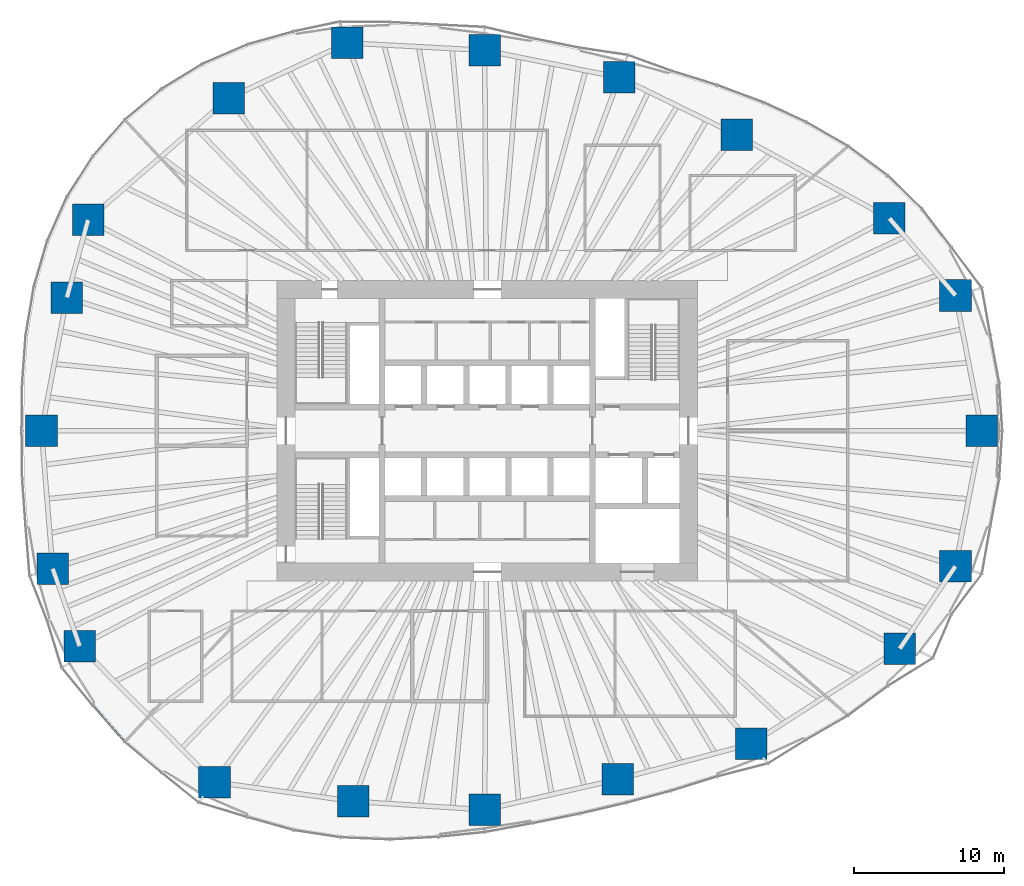
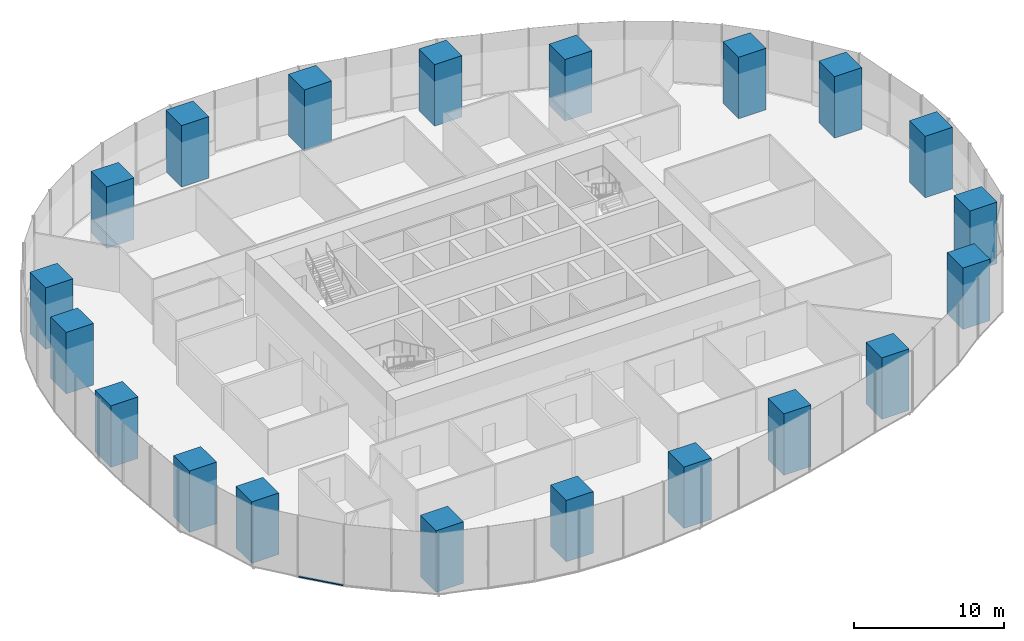
# One storey, part 1 of 20: 20 columns, 1 member, 1 element without a shape of its own.
"""IFC4 building model written with IfcOpenShell, lengths in metres."""

from ifc_helpers import new_model, si_unit, direction, frame, origin, origin_2d, place, context, subcontext, project, spatial, rectangle, extrude, material, material_profile, profile_set, type_object, element, aggregate, save


model = new_model("IFC4")

# Units and contexts
model_context = context("Model", 3, precision=1e-05, world=origin(), true_north=direction((0.0, 1.0)))
body_context = subcontext(model_context, "Body", "Model", "MODEL_VIEW")
ifc_project = project(units=[si_unit("LENGTHUNIT", "METRE"), si_unit("AREAUNIT", "SQUARE_METRE"), si_unit("VOLUMEUNIT", "CUBIC_METRE"), si_unit("PLANEANGLEUNIT", "RADIAN"), si_unit("MASSUNIT", "GRAM", prefix="KILO")], contexts=[model_context])

# Site, building, storey
site_placement = place(None, origin())
site = spatial("IfcSite", under=ifc_project, at=site_placement, CompositionType="ELEMENT")
building_placement = place(site_placement, origin())
building = spatial("IfcBuilding", under=site, at=building_placement, Name="Ghaith Harvest Tower", CompositionType="ELEMENT")
storey_placement = place(building_placement, frame((0.0, 0.0, 35.0)))
storey = spatial("IfcBuildingStorey", under=building, at=storey_placement, Name="L07", CompositionType="ELEMENT", Elevation=35.0)

# Columns
ifc_material_1 = material(Name="Concrete C70/85", Category="concrete")
ifc_material_profile_1 = material_profile(ifc_material_1, rectangle(XDim=2.10009765625, YDim=2.10009765625, at=origin_2d()), Name="RC2100X2100")
ifc_profile_set_1 = profile_set([ifc_material_profile_1], Name="Concrete C70/85")
column_type = type_object("IfcColumnType", Name="TC1 RC2100X2100", PredefinedType="COLUMN", material=ifc_profile_set_1)
for number, where, z_axis, x_axis, name in (
    (1, (32.925048828125, 0.0, 0.0), (0.0, 0.0, 1.0), (1.0, 0.0, 0.0), "Perimeter column C01"),
    (2, (31.166015625, 9.008056640625, 0.0), (0.0, 0.0, 1.0), (1.0, 0.0, 0.0), "Perimeter column C02"),
    (3, (26.763916015625, 14.14697265625, 0.0), (0.0, 0.0, 1.0), (1.0, 0.0, 0.0), "Perimeter column C03"),
    (4, (16.60791015625, 19.695068359375, 0.0), (0.0, 0.0, 1.0), (1.0, 0.0, 0.0), "Perimeter column C04"),
    (5, (8.794921875, 23.527099609375, 0.0), (0.0, 0.0, 1.0), (1.0, 0.0, 0.0), "Perimeter column C05"),
    (6, (-0.173095703125, 25.326904296875, 0.0), (0.0, 0.0, 1.0), (1.0, 0.0, 0.0), "Perimeter column C06"),
    (7, (-9.325927734375, 25.821044921875, 0.0), (0.0, 0.0, 1.0), (1.0, 0.0, 0.0), "Perimeter column C07"),
    (8, (-17.201904296875, 22.14990234375, 0.0), (0.0, 0.0, 1.0), (1.0, 0.0, 0.0), "Perimeter column C08"),
    (9, (-26.572998046875, 14.0458984375, 0.0), (0.0, 0.0, 1.0), (1.0, 0.0, 0.0), "Perimeter column C09"),
    (10, (-27.98291015625, 8.867919921875, 0.0), (0.0, 0.0, 1.0), (1.0, 0.0, 0.0), "Perimeter column C10"),
    (11, (-29.675048828125, 0.0, 0.0), (0.0, 0.0, 1.0), (1.0, 0.0, 0.0), "Perimeter column C11"),
    (12, (-28.929931640625, -9.16796875, 0.0), (0.0, 0.0, 1.0), (1.0, 0.0, 0.0), "Perimeter column C12"),
    (13, (-27.132080078125, -14.341064453125, 0.0), (0.0, 0.0, 1.0), (1.0, 0.0, 0.0), "Perimeter column C13"),
    (14, (-18.157958984375, -23.3798828125, 0.0), (0.0, 0.0, 1.0), (1.0, 0.0, 0.0), "Perimeter column C14"),
    (15, (-8.908935546875, -24.66796875, 0.0), (0.0, 0.0, 1.0), (1.0, 0.0, 0.0), "Perimeter column C15"),
    (16, (-0.173095703125, -25.22412109375, 0.0), (0.0, 0.0, 1.0), (1.0, 0.0, 0.0), "Perimeter column C16"),
    (17, (8.674072265625, -23.202880859375, 0.0), (0.0, 0.0, 1.0), (1.0, 0.0, 0.0), "Perimeter column C17"),
    (18, (17.572021484375, -20.8369140625, 0.0), (0.0, 0.0, 1.0), (1.0, 0.0, 0.0), "Perimeter column C18"),
    (19, (27.448974609375, -14.509033203125, 0.0), (0.0, 0.0, 1.0), (1.0, 0.0, 0.0), "Perimeter column C19"),
    (20, (31.166015625, -9.008056640625, 0.0), (0.0, 0.0, 1.0), (1.0, 0.0, 0.0), "Perimeter column C20"),
):
    element("IfcColumn", number, at=place(storey_placement, frame(where, z_axis=z_axis, x_axis=x_axis)), inside=storey, type_object=column_type, Name=name, PredefinedType="COLUMN", context=body_context, shape_type="SweptSolid", body=[
        extrude(rectangle(XDim=2.10009765625, YDim=2.10009765625, at=origin_2d()), origin(), (0.0, 0.0, 1.0), 5.0),
    ])

# Curtain wall, member
ifc_material_2 = material(Name="Black anodised aluminium and fritted glass", Category="aluminium")
curtain_wall_type = type_object("IfcCurtainWallType", Name="CW-F CURTAIN WALL", PredefinedType="NOTDEFINED", material=ifc_material_2)
curtain_wall_placement = place(storey_placement, origin())
curtain_wall = element("IfcCurtainWall", 21, at=curtain_wall_placement, inside=storey, type_object=curtain_wall_type, Name="Curtain wall CW-F bay 13 L07", PredefinedType="NOTDEFINED")
ifc_material_3 = material(Name="Aluminium, black anodised", Category="aluminium")
ifc_material_profile_2 = material_profile(ifc_material_3, rectangle(XDim=0.139892578125, YDim=0.080078125, at=origin_2d()), Name="CW-F TRANSOM 140x80")
ifc_profile_set_2 = profile_set([ifc_material_profile_2], Name="Aluminium, black anodised")
member_type = type_object("IfcMemberType", Name="CW-F TRANSOM 140x80", PredefinedType="USERDEFINED", material=ifc_profile_set_2)
member_placement = place(storey_placement, frame((-26.23681640625, -18.30419921875, 0.0400390625), z_axis=(0.65923052982, -0.751940894322, 0.0), x_axis=(0.751940894322, 0.65923052982, 0.0)))
member = element("IfcMember", 22, at=member_placement, type_object=member_type, Name="CW-F transom 1 bay 13 L07", ObjectType="TRANSOM", PredefinedType="USERDEFINED", context=body_context, shape_type="SweptSolid", body=[
    extrude(rectangle(XDim=0.139892578125, YDim=0.080078125, at=origin_2d()), origin(), (0.0, 0.0, 1.0), 3.1416015625),
])
aggregate(curtain_wall, [member])

save(model, "model.ifc")
